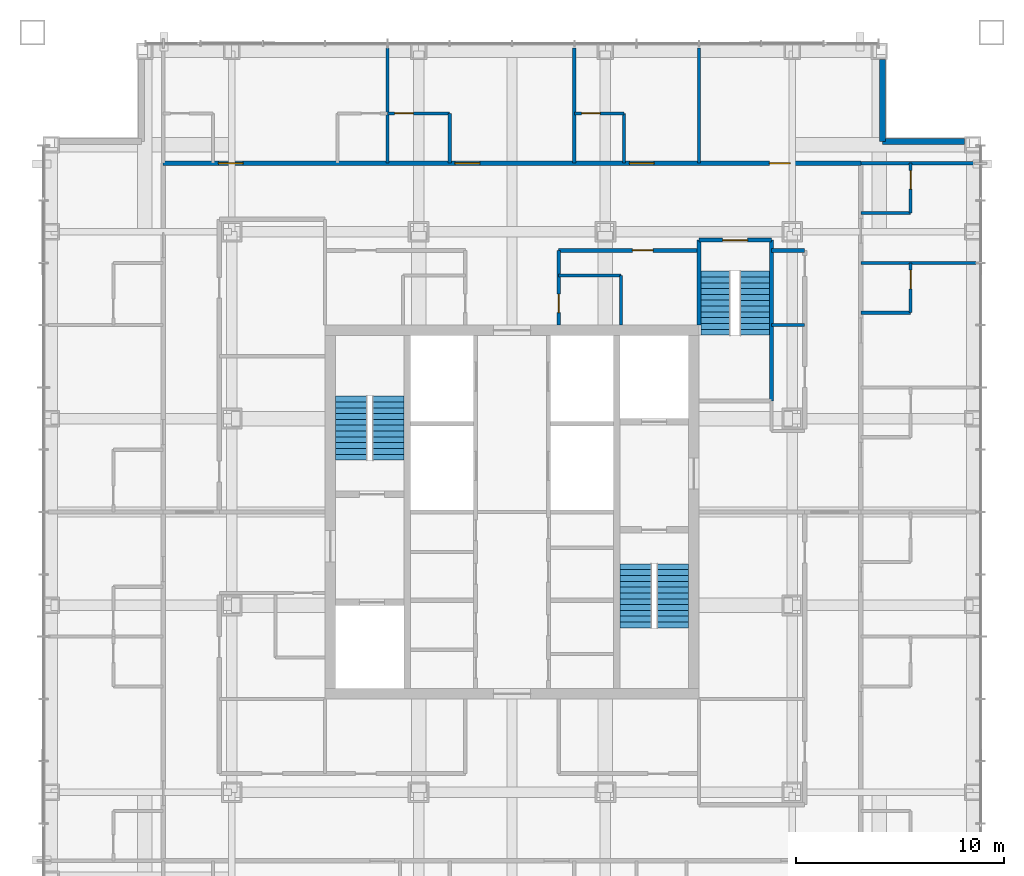
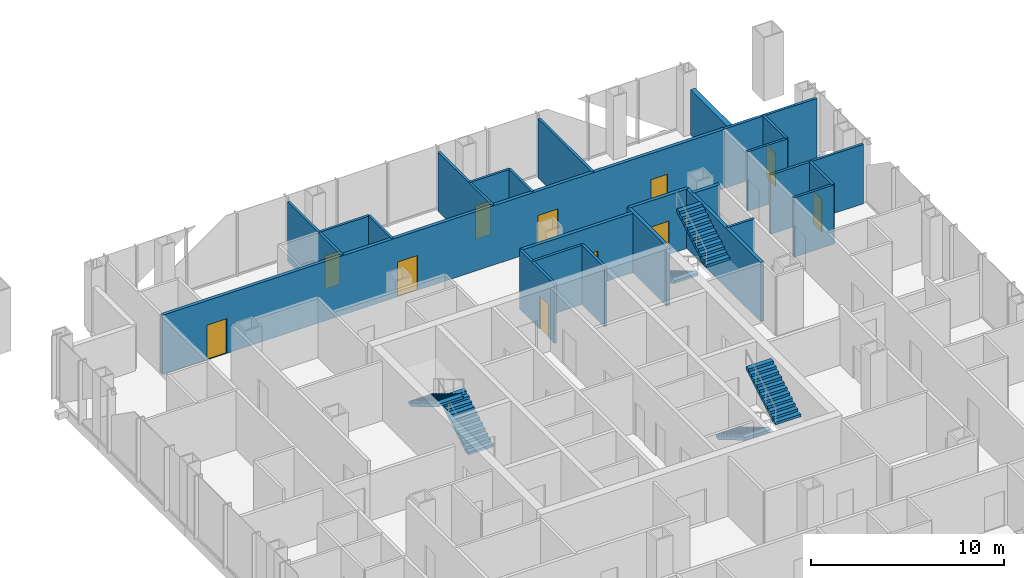
# One storey, part 10 of 15: 25 walls, 11 doors, 6 stair flights, 11 openings, 3 elements without a shape of their own.
"""IFC4 building model written with IfcOpenShell, lengths in metres."""

import ifcopenshell
import ifcopenshell.guid

model = None  # the IFC model being written
_history = None  # IfcOwnerHistory: only IFC2X3 demands one
_inside = {}  # id of a spatial element -> (the spatial element, [elements in it])
_under = {}  # id of a project, library or spatial element -> (it, [spatial elements below it])
_declared = {}  # id of a project -> (the project, [libraries it declares])
_typed = {}  # id of a type object -> (the type object, [elements of that type])
_made_of = {}  # id of a material, layer set ... -> (it, [elements and type objects made of it])


def new_model(schema):
    """Start an empty IFC model of exactly this schema.

    Asked for "IFC4X3", IfcOpenShell would pick the latest addendum, in which some entities
    have other attributes; the version numbers below select the first issue.
    IFC2X3 requires an IfcOwnerHistory on every rooted entity: one is made here for all.
    """
    global model, _history
    if schema == "IFC4X3":
        model = ifcopenshell.file(schema_version=(4, 3, 0, 0))
    else:
        model = ifcopenshell.file(schema=schema)
    _inside.clear()
    _under.clear()
    _declared.clear()
    _typed.clear()
    _made_of.clear()
    _history = None
    if model.schema == "IFC2X3":
        org = make("IfcOrganization", Name="unknown")
        user = make(
            "IfcPersonAndOrganization",
            ThePerson=make("IfcPerson", FamilyName="unknown"),
            TheOrganization=org,
        )
        app = make(
            "IfcApplication",
            ApplicationDeveloper=org,
            Version="unknown",
            ApplicationFullName="unknown",
            ApplicationIdentifier="unknown",
        )
        _history = make(
            "IfcOwnerHistory",
            OwningUser=user,
            OwningApplication=app,
            ChangeAction="ADDED",
            CreationDate=0,
        )
    return model


def make(cls, **values):
    """One entity of the class cls with the attributes given. An attribute that is None is left unset."""
    return model.create_entity(
        cls, **{name: value for name, value in values.items() if value is not None}
    )


def rooted(cls, **values):
    """An entity with a GlobalId (a new one), such as an element, a storey or a relation."""
    return make(cls, GlobalId=ifcopenshell.guid.new(), OwnerHistory=_history, **values)


def si_unit(unit_type, name, prefix=None):
    """IfcSIUnit, for example si_unit("LENGTHUNIT", "METRE", prefix="MILLI")."""
    return make("IfcSIUnit", UnitType=unit_type, Prefix=prefix, Name=name)


def assignment(units):
    """IfcUnitAssignment: the units of a project."""
    return None if units is None else make("IfcUnitAssignment", Units=units)


def point(xyz):
    """IfcCartesianPoint."""
    return None if xyz is None else make("IfcCartesianPoint", Coordinates=xyz)


def direction(xyz):
    """IfcDirection."""
    return None if xyz is None else make("IfcDirection", DirectionRatios=xyz)


def frame(location, z_axis=None, x_axis=None):
    """IfcAxis2Placement3D, a coordinate frame: its origin and axes. An axis left out is left unset."""
    return make(
        "IfcAxis2Placement3D",
        Location=point(location),
        Axis=direction(z_axis),
        RefDirection=direction(x_axis),
    )


def frame_2d(location, x_axis=None):
    """IfcAxis2Placement2D, a coordinate frame in the plane: its origin and x axis."""
    return make(
        "IfcAxis2Placement2D", Location=point(location), RefDirection=direction(x_axis)
    )


def origin():
    """The frame at (0, 0, 0) with its axes left unset."""
    return frame((0.0, 0.0, 0.0))


def place(relative_to, where):
    """IfcLocalPlacement: puts the frame where relative to a parent placement (None: the world)."""
    return make(
        "IfcLocalPlacement", PlacementRelTo=relative_to, RelativePlacement=where
    )


def context(
    kind, dimensions, precision=None, world=None, true_north=None, identifier=None
):
    """IfcGeometricRepresentationContext, for example the 3D "Model" context."""
    return make(
        "IfcGeometricRepresentationContext",
        ContextIdentifier=identifier,
        ContextType=kind,
        CoordinateSpaceDimension=dimensions,
        Precision=precision,
        WorldCoordinateSystem=world,
        TrueNorth=true_north,
    )


def subcontext(parent, identifier, kind, view, scale=None):
    """IfcGeometricRepresentationSubContext, for example "Body" below "Model"."""
    return make(
        "IfcGeometricRepresentationSubContext",
        ContextIdentifier=identifier,
        ContextType=kind,
        ParentContext=parent,
        TargetScale=scale,
        TargetView=view,
    )


def project(units=None, contexts=None):
    """IfcProject with its units and contexts."""
    return rooted(
        "IfcProject",
        Name="project",
        RepresentationContexts=contexts,
        UnitsInContext=assignment(units),
    )


def spatial(cls, under=None, at=None, **own):
    """A site, building, storey or space (cls), placed at a placement, below another one or the project."""
    s = rooted(cls, ObjectPlacement=at, **own)
    if under is not None:
        _under.setdefault(under.id(), (under, []))[1].append(s)
    return s


def polyline(points):
    """IfcPolyline through the points."""
    return make("IfcPolyline", Points=[point(p) for p in points])


def profile(cls, at=None, kind="AREA", **sizes):
    """A parametric profile (cls). Its sizes go by their IFC names, for example OverallWidth=200.0."""
    return make(cls, ProfileType=kind, Position=at, **sizes)


def rectangle(**sizes):
    """IfcRectangleProfileDef."""
    return profile("IfcRectangleProfileDef", **sizes)


def outline(outer, holes=None, kind="AREA"):
    """IfcArbitraryClosedProfileDef: a profile drawn as a closed curve; with holes, ...WithVoids."""
    if holes is None:
        return make("IfcArbitraryClosedProfileDef", ProfileType=kind, OuterCurve=outer)
    return make(
        "IfcArbitraryProfileDefWithVoids",
        ProfileType=kind,
        OuterCurve=outer,
        InnerCurves=holes,
    )


def extrude(swept, where, along, depth):
    """IfcExtrudedAreaSolid: the profile swept, set in the frame where, extruded along a direction by depth."""
    return make(
        "IfcExtrudedAreaSolid",
        SweptArea=swept,
        Position=where,
        ExtrudedDirection=direction(along),
        Depth=depth,
    )


def shape(context_of_items, identifier, shape_type, items):
    """IfcShapeRepresentation: the items that make up one representation, for example the "Body"."""
    return make(
        "IfcShapeRepresentation",
        ContextOfItems=context_of_items,
        RepresentationIdentifier=identifier,
        RepresentationType=shape_type,
        Items=items,
    )


def material(Name=None, Category=None):
    """IfcMaterial."""
    return make("IfcMaterial", Name=Name, Category=Category)


def layer(
    of_material, thickness, ventilated=None, Name=None, Category=None, Priority=None
):
    """IfcMaterialLayer: one layer of a wall or slab, of a material (None: an air gap)."""
    return make(
        "IfcMaterialLayer",
        Material=of_material,
        LayerThickness=thickness,
        IsVentilated=ventilated,
        Name=Name,
        Category=Category,
        Priority=Priority,
    )


def layer_set(layers, Name=None):
    """IfcMaterialLayerSet."""
    return make("IfcMaterialLayerSet", MaterialLayers=layers, LayerSetName=Name)


def made_of(thing, what):
    """Note that an element or type object is made of a material, layer set ...; save() writes the relation."""
    if what is not None:
        _made_of.setdefault(what.id(), (what, []))[1].append(thing)
    return thing


def type_object(cls, material=None, **own):
    """A type object (cls), such as IfcWallType, which elements share."""
    return made_of(rooted(cls, **own), material)


def element(
    cls,
    number,
    at=None,
    inside=None,
    cuts=None,
    type_object=None,
    material=None,
    context=None,
    identifier="Body",
    shape_type=None,
    held_by="IfcProductDefinitionShape",
    body=None,
    shapes=None,
    **own,
):
    """One element of the class cls, such as IfcWall. Its Tag is "e" and its number.

    at: its placement. inside: the storey or other place that contains it. cuts: it is an
    opening in that element (IfcRelVoidsElement). A single representation is given by context,
    identifier, shape_type and body (its items); several are given by shapes. held_by: the class
    of the entity that holds the representations. save() writes the other relations.
    """
    e = rooted(cls, Tag="e%d" % number, ObjectPlacement=at, **own)
    if body is not None:
        shapes = [shape(context, identifier, shape_type, body)]
    if shapes is not None:
        e.Representation = make(held_by, Representations=shapes)
    if inside is not None:
        _inside.setdefault(inside.id(), (inside, []))[1].append(e)
    if cuts is not None:
        rooted(
            "IfcRelVoidsElement", RelatingBuildingElement=cuts, RelatedOpeningElement=e
        )
    if type_object is not None:
        _typed.setdefault(type_object.id(), (type_object, []))[1].append(e)
    return made_of(e, material)


def fill(opening, filler):
    """IfcRelFillsElement: the door or window that sits in an opening."""
    return rooted(
        "IfcRelFillsElement",
        RelatingOpeningElement=opening,
        RelatedBuildingElement=filler,
    )


def aggregate(whole, parts):
    """IfcRelAggregates: a whole, such as a stair, and the parts it consists of."""
    return rooted("IfcRelAggregates", RelatingObject=whole, RelatedObjects=parts)


def save(model, path):
    """Write the relations noted so far, then the file.

    IfcRelAggregates (storeys below a building ...), IfcRelContainedInSpatialStructure (elements
    in a storey), IfcRelDefinesByType, IfcRelAssociatesMaterial and IfcRelDeclares: one each for
    every whole, place, type object, material and project.
    """
    for whole, parts in _under.values():
        aggregate(whole, parts)
    for where, things in _inside.values():
        rooted(
            "IfcRelContainedInSpatialStructure",
            RelatedElements=things,
            RelatingStructure=where,
        )
    for kind, things in _typed.values():
        rooted("IfcRelDefinesByType", RelatedObjects=things, RelatingType=kind)
    for what, things in _made_of.values():
        rooted("IfcRelAssociatesMaterial", RelatedObjects=things, RelatingMaterial=what)
    for by, libraries in _declared.values():
        rooted("IfcRelDeclares", RelatingContext=by, RelatedDefinitions=libraries)
    model.write(path)


model = new_model("IFC4")

# Units and contexts
model_context = context("Model", 3, precision=1e-05, world=origin(), true_north=direction((0.0, 1.0)))
body_context = subcontext(model_context, "Body", "Model", "MODEL_VIEW")
ifc_project = project(units=[si_unit("LENGTHUNIT", "METRE"), si_unit("AREAUNIT", "SQUARE_METRE"), si_unit("VOLUMEUNIT", "CUBIC_METRE"), si_unit("PLANEANGLEUNIT", "RADIAN"), si_unit("MASSUNIT", "GRAM", prefix="KILO")], contexts=[model_context])

# Site, building, storey
site_placement = place(None, origin())
site = spatial("IfcSite", under=ifc_project, at=site_placement, CompositionType="ELEMENT")
building_placement = place(site_placement, origin())
building = spatial("IfcBuilding", under=site, at=building_placement, Name="Malebo Sky Hospital", CompositionType="ELEMENT")
storey_placement = place(building_placement, frame((0.0, 0.0, 181.0)))
storey = spatial("IfcBuildingStorey", under=building, at=storey_placement, Name="L43", CompositionType="ELEMENT", Elevation=181.0)

# Wall, openings, doors
ifc_material_1 = material(Name="Gypsum board on steel studs", Category="steel")
ifc_layer_1 = layer(ifc_material_1, 0.199951171875)
ifc_layer_set_1 = layer_set([ifc_layer_1], Name="CORRIDOR WALL 200")
wall_type_1 = type_object("IfcWallType", Name="CORRIDOR WALL 200", PredefinedType="PARTITIONING", material=ifc_layer_set_1)
wall_1_placement = place(storey_placement, frame((43.199951171875, 78.800048828125, 0.0), z_axis=(0.0, 0.0, 1.0), x_axis=(1.0, 0.0, 0.0)))
wall_1 = element("IfcWall", 1, at=wall_1_placement, inside=storey, type_object=wall_type_1, Name="Corridor Wall 200 NCO", PredefinedType="PARTITIONING", context=body_context, shape_type="SweptSolid", body=[
    extrude(rectangle(XDim=33.60009765625, YDim=0.199951171875, at=frame_2d((16.800048828125, 0.0))), origin(), (0.0, 0.0, 1.0), 3.75),
])
opening_1_placement = place(wall_1_placement, frame((2.64990234375, 0.0, 0.0)))
opening_1 = element("IfcOpeningElement", 2, at=opening_1_placement, cuts=wall_1, Name="Opening D01", PredefinedType="OPENING", context=body_context, shape_type="SweptSolid", body=[
    extrude(rectangle(XDim=1.199951171875, YDim=2.199951171875, at=frame_2d((0.60009765625, 1.10009765625))), frame((0.0, 0.10986328125, 0.0), z_axis=(0.0, -1.0, 0.0), x_axis=(1.0, 0.0, 0.0)), (0.0, 0.0, 1.0), 0.219970703125),
])
opening_2_placement = place(wall_1_placement, frame((14.050048828125, 0.0, 0.0)))
opening_2 = element("IfcOpeningElement", 3, at=opening_2_placement, cuts=wall_1, Name="Opening D01", PredefinedType="OPENING", context=body_context, shape_type="SweptSolid", body=[
    extrude(rectangle(XDim=1.199951171875, YDim=2.199951171875, at=frame_2d((0.60009765625, 1.10009765625))), frame((0.0, 0.10986328125, 0.0), z_axis=(0.0, -1.0, 0.0), x_axis=(1.0, 0.0, 0.0)), (0.0, 0.0, 1.0), 0.219970703125),
])
opening_3_placement = place(wall_1_placement, frame((22.449951171875, 0.0, 0.0)))
opening_3 = element("IfcOpeningElement", 4, at=opening_3_placement, cuts=wall_1, Name="Opening D01", PredefinedType="OPENING", context=body_context, shape_type="SweptSolid", body=[
    extrude(rectangle(XDim=1.199951171875, YDim=2.199951171875, at=frame_2d((0.60009765625, 1.10009765625))), frame((0.0, 0.10986328125, 0.0), z_axis=(0.0, -1.0, 0.0), x_axis=(1.0, 0.0, 0.0)), (0.0, 0.0, 1.0), 0.219970703125),
])
opening_4_placement = place(wall_1_placement, frame((29.199951171875, 0.0, 0.0)))
opening_4 = element("IfcOpeningElement", 5, at=opening_4_placement, cuts=wall_1, Name="Opening D03", PredefinedType="OPENING", context=body_context, shape_type="SweptSolid", body=[
    extrude(rectangle(XDim=1.0, YDim=2.10009765625, at=frame_2d((0.5, 1.050048828125))), frame((0.0, 0.10986328125, 0.0), z_axis=(0.0, -1.0, 0.0), x_axis=(1.0, 0.0, 0.0)), (0.0, 0.0, 1.0), 0.219970703125),
])
ifc_material_2 = material(Name="Hardwood-faced door leaf in steel frame", Category="steel")
door_type_1 = type_object("IfcDoorType", Name="BED DOOR 1200", OperationType="SINGLE_SWING_LEFT", PredefinedType="DOOR", material=ifc_material_2)
door_1_placement = place(opening_1_placement, origin())
door_1 = element("IfcDoor", 6, at=door_1_placement, inside=storey, type_object=door_type_1, Name="Four-bed bay door", OperationType="SINGLE_SWING_LEFT", OverallHeight=2.199951171875, OverallWidth=1.199951171875, PredefinedType="DOOR", context=body_context, shape_type="SweptSolid", body=[
    extrude(rectangle(XDim=1.199951171875, YDim=2.199951171875, at=frame_2d((0.60009765625, 1.10009765625))), frame((0.0, 0.02490234375, 0.0), z_axis=(0.0, -1.0, 0.0), x_axis=(1.0, 0.0, 0.0)), (0.0, 0.0, 1.0), 0.050048828125),
])
fill(opening_1, door_1)
door_2_placement = place(opening_2_placement, origin())
door_2 = element("IfcDoor", 7, at=door_2_placement, inside=storey, type_object=door_type_1, Name="Two-bed room door", OperationType="SINGLE_SWING_LEFT", OverallHeight=2.199951171875, OverallWidth=1.199951171875, PredefinedType="DOOR", context=body_context, shape_type="SweptSolid", body=[
    extrude(rectangle(XDim=1.199951171875, YDim=2.199951171875, at=frame_2d((0.60009765625, 1.10009765625))), frame((0.0, 0.02490234375, 0.0), z_axis=(0.0, -1.0, 0.0), x_axis=(1.0, 0.0, 0.0)), (0.0, 0.0, 1.0), 0.050048828125),
])
fill(opening_2, door_2)
door_3_placement = place(opening_3_placement, origin())
door_3 = element("IfcDoor", 8, at=door_3_placement, inside=storey, type_object=door_type_1, Name="Single bed room door", OperationType="SINGLE_SWING_LEFT", OverallHeight=2.199951171875, OverallWidth=1.199951171875, PredefinedType="DOOR", context=body_context, shape_type="SweptSolid", body=[
    extrude(rectangle(XDim=1.199951171875, YDim=2.199951171875, at=frame_2d((0.60009765625, 1.10009765625))), frame((0.0, 0.02490234375, 0.0), z_axis=(0.0, -1.0, 0.0), x_axis=(1.0, 0.0, 0.0)), (0.0, 0.0, 1.0), 0.050048828125),
])
fill(opening_3, door_3)
door_type_2 = type_object("IfcDoorType", Name="ROOM DOOR 1000", OperationType="SINGLE_SWING_LEFT", PredefinedType="DOOR", material=ifc_material_2)
door_4_placement = place(opening_4_placement, origin())
door_4 = element("IfcDoor", 9, at=door_4_placement, inside=storey, type_object=door_type_2, Name="Family room door", OperationType="SINGLE_SWING_RIGHT", OverallHeight=2.10009765625, OverallWidth=1.0, PredefinedType="DOOR", context=body_context, shape_type="SweptSolid", body=[
    extrude(rectangle(XDim=1.0, YDim=2.10009765625, at=frame_2d((0.5, 1.050048828125))), frame((0.0, 0.02490234375, 0.0), z_axis=(0.0, -1.0, 0.0), x_axis=(1.0, 0.0, 0.0)), (0.0, 0.0, 1.0), 0.050048828125),
])
fill(opening_4, door_4)

# Wall, opening, door
wall_2_placement = place(storey_placement, frame((62.25, 74.60009765625, 0.0), z_axis=(0.0, 0.0, 1.0), x_axis=(1.0, 0.0, 0.0)))
wall_2 = element("IfcWall", 10, at=wall_2_placement, inside=storey, type_object=wall_type_1, Name="Corridor Wall 200 NCI2", PredefinedType="PARTITIONING", context=body_context, shape_type="SweptSolid", body=[
    extrude(rectangle(XDim=6.75, YDim=0.199951171875, at=frame_2d((3.375, 0.0))), origin(), (0.0, 0.0, 1.0), 3.75),
])
opening_5_placement = place(wall_2_placement, frame((3.550048828125, 0.0, 0.0)))
opening_5 = element("IfcOpeningElement", 11, at=opening_5_placement, cuts=wall_2, Name="Opening D03", PredefinedType="OPENING", context=body_context, shape_type="SweptSolid", body=[
    extrude(rectangle(XDim=1.0, YDim=2.10009765625, at=frame_2d((0.5, 1.050048828125))), frame((0.0, 0.10986328125, 0.0), z_axis=(0.0, -1.0, 0.0), x_axis=(1.0, 0.0, 0.0)), (0.0, 0.0, 1.0), 0.219970703125),
])
door_5_placement = place(opening_5_placement, origin())
door_5 = element("IfcDoor", 12, at=door_5_placement, inside=storey, type_object=door_type_2, Name="Medication room door", OperationType="SINGLE_SWING_RIGHT", OverallHeight=2.10009765625, OverallWidth=1.0, PredefinedType="DOOR", context=body_context, shape_type="SweptSolid", body=[
    extrude(rectangle(XDim=1.0, YDim=2.10009765625, at=frame_2d((0.5, 1.050048828125))), frame((0.0, 0.02490234375, 0.0), z_axis=(0.0, -1.0, 0.0), x_axis=(1.0, 0.0, 0.0)), (0.0, 0.0, 1.0), 0.050048828125),
])
fill(opening_5, door_5)

# Walls
wall_3_placement = place(storey_placement, frame((72.5, 74.60009765625, 0.0), z_axis=(0.0, 0.0, 1.0), x_axis=(1.0, 0.0, 0.0)))
element("IfcWall", 13, at=wall_3_placement, inside=storey, type_object=wall_type_1, Name="Corridor Wall 200 NCI2/2", PredefinedType="PARTITIONING", context=body_context, shape_type="SweptSolid", body=[
    extrude(rectangle(XDim=1.60009765625, YDim=0.199951171875, at=frame_2d((0.800048828125, 0.0))), origin(), (0.0, 0.0, 1.0), 3.75),
])
ifc_material_3 = material(Name="Anodised aluminium rainscreen on steel framing", Category="steel")
ifc_layer_2 = layer(ifc_material_3, 0.300048828125)
ifc_layer_set_2 = layer_set([ifc_layer_2], Name="NOTCH RAINSCREEN WALL 300")
wall_type_2 = type_object("IfcWallType", Name="NOTCH RAINSCREEN WALL 300", PredefinedType="ELEMENTEDWALL", material=ifc_layer_set_2)
for number, where, z_axis, x_axis, name in (
    (14, (77.85009765625, 83.800048828125, 0.0), (0.0, 0.0, 1.0), (0.0, -1.0, 0.0), "Notch rainscreen wall N1 L43"),
    (15, (77.85009765625, 79.85009765625, 0.0), (0.0, 0.0, 1.0), (1.0, 0.0, 0.0), "Notch rainscreen wall N2 L43"),
):
    element("IfcWall", number, at=place(storey_placement, frame(where, z_axis=z_axis, x_axis=x_axis)), inside=storey, type_object=wall_type_2, Name=name, PredefinedType="ELEMENTEDWALL", context=body_context, shape_type="SweptSolid", body=[
        extrude(rectangle(XDim=3.949951171875, YDim=0.300048828125, at=frame_2d((1.97509765625, 0.0))), origin(), (0.0, 0.0, 1.0), 2.85009765625),
    ])
ifc_layer_3 = layer(ifc_material_1, 0.14990234375)
ifc_layer_set_3 = layer_set([ifc_layer_3], Name="PARTITION 150")
wall_type_3 = type_object("IfcWallType", Name="PARTITION 150", PredefinedType="PARTITIONING", material=ifc_layer_set_3)
for number, where, z_axis, x_axis, name in (
    (16, (54.0, 78.800048828125, 0.0), (0.0, 0.0, 1.0), (0.0, 1.0, 0.0), "Partition 150 NP-6.0"),
    (17, (63.0, 78.800048828125, 0.0), (0.0, 0.0, 1.0), (0.0, 1.0, 0.0), "Partition 150 NP+3.0"),
    (18, (69.0, 78.800048828125, 0.0), (0.0, 0.0, 1.0), (0.0, 1.0, 0.0), "Partition 150 NP+9.0"),
):
    element("IfcWall", number, at=place(storey_placement, frame(where, z_axis=z_axis, x_axis=x_axis)), inside=storey, type_object=wall_type_3, Name=name, PredefinedType="PARTITIONING", context=body_context, shape_type="SweptSolid", body=[
        extrude(rectangle(XDim=5.550048828125, YDim=0.14990234375, at=frame_2d((2.77490234375, 0.0))), origin(), (0.0, 0.0, 1.0), 3.75),
    ])

# Wall, opening, door
wall_4_placement = place(storey_placement, frame((54.0, 81.199951171875, 0.0), z_axis=(0.0, 0.0, 1.0), x_axis=(1.0, 0.0, 0.0)))
wall_4 = element("IfcWall", 19, at=wall_4_placement, inside=storey, type_object=wall_type_3, Name="Partition 150 NE1F", PredefinedType="PARTITIONING", context=body_context, shape_type="SweptSolid", body=[
    extrude(rectangle(XDim=3.0, YDim=0.14990234375, at=frame_2d((1.5, 0.0))), origin(), (0.0, 0.0, 1.0), 3.75),
])
opening_6_placement = place(wall_4_placement, frame((0.35009765625, 0.0, 0.0)))
opening_6 = element("IfcOpeningElement", 20, at=opening_6_placement, cuts=wall_4, Name="Opening D02", PredefinedType="OPENING", context=body_context, shape_type="SweptSolid", body=[
    extrude(rectangle(XDim=0.89990234375, YDim=2.10009765625, at=frame_2d((0.449951171875, 1.050048828125))), frame((0.0, 0.0849609375, 0.0), z_axis=(0.0, -1.0, 0.0), x_axis=(1.0, 0.0, 0.0)), (0.0, 0.0, 1.0), 0.169921875),
])
door_type_3 = type_object("IfcDoorType", Name="EN-SUITE DOOR 900", OperationType="SINGLE_SWING_LEFT", PredefinedType="DOOR", material=ifc_material_2)
door_6_placement = place(opening_6_placement, origin())
door_6 = element("IfcDoor", 21, at=door_6_placement, inside=storey, type_object=door_type_3, Name="En-suite door", OperationType="SINGLE_SWING_LEFT", OverallHeight=2.10009765625, OverallWidth=0.89990234375, PredefinedType="DOOR", context=body_context, shape_type="SweptSolid", body=[
    extrude(rectangle(XDim=0.89990234375, YDim=2.10009765625, at=frame_2d((0.449951171875, 1.050048828125))), frame((0.0, 0.02490234375, 0.0), z_axis=(0.0, -1.0, 0.0), x_axis=(1.0, 0.0, 0.0)), (0.0, 0.0, 1.0), 0.050048828125),
])
fill(opening_6, door_6)

# Wall
wall_5_placement = place(storey_placement, frame((57.0, 78.800048828125, 0.0), z_axis=(0.0, 0.0, 1.0), x_axis=(0.0, 1.0, 0.0)))
element("IfcWall", 22, at=wall_5_placement, inside=storey, type_object=wall_type_3, Name="Partition 150 NE1S", PredefinedType="PARTITIONING", context=body_context, shape_type="SweptSolid", body=[
    extrude(rectangle(XDim=2.39990234375, YDim=0.14990234375, at=frame_2d((1.199951171875, 0.0))), origin(), (0.0, 0.0, 1.0), 3.75),
])

# Wall, opening, door
wall_6_placement = place(storey_placement, frame((63.0, 81.199951171875, 0.0), z_axis=(0.0, 0.0, 1.0), x_axis=(1.0, 0.0, 0.0)))
wall_6 = element("IfcWall", 23, at=wall_6_placement, inside=storey, type_object=wall_type_3, Name="Partition 150 NE2F", PredefinedType="PARTITIONING", context=body_context, shape_type="SweptSolid", body=[
    extrude(rectangle(XDim=2.39990234375, YDim=0.14990234375, at=frame_2d((1.199951171875, 0.0))), origin(), (0.0, 0.0, 1.0), 3.75),
])
opening_7_placement = place(wall_6_placement, frame((0.35009765625, 0.0, 0.0)))
opening_7 = element("IfcOpeningElement", 24, at=opening_7_placement, cuts=wall_6, Name="Opening D02", PredefinedType="OPENING", context=body_context, shape_type="SweptSolid", body=[
    extrude(rectangle(XDim=0.89990234375, YDim=2.10009765625, at=frame_2d((0.449951171875, 1.050048828125))), frame((0.0, 0.0849609375, 0.0), z_axis=(0.0, -1.0, 0.0), x_axis=(1.0, 0.0, 0.0)), (0.0, 0.0, 1.0), 0.169921875),
])
door_7_placement = place(opening_7_placement, origin())
door_7 = element("IfcDoor", 25, at=door_7_placement, inside=storey, type_object=door_type_3, Name="En-suite door", OperationType="SINGLE_SWING_LEFT", OverallHeight=2.10009765625, OverallWidth=0.89990234375, PredefinedType="DOOR", context=body_context, shape_type="SweptSolid", body=[
    extrude(rectangle(XDim=0.89990234375, YDim=2.10009765625, at=frame_2d((0.449951171875, 1.050048828125))), frame((0.0, 0.02490234375, 0.0), z_axis=(0.0, -1.0, 0.0), x_axis=(1.0, 0.0, 0.0)), (0.0, 0.0, 1.0), 0.050048828125),
])
fill(opening_7, door_7)

# Wall
wall_7_placement = place(storey_placement, frame((65.39990234375, 78.800048828125, 0.0), z_axis=(0.0, 0.0, 1.0), x_axis=(0.0, 1.0, 0.0)))
element("IfcWall", 26, at=wall_7_placement, inside=storey, type_object=wall_type_3, Name="Partition 150 NE2S", PredefinedType="PARTITIONING", context=body_context, shape_type="SweptSolid", body=[
    extrude(rectangle(XDim=2.39990234375, YDim=0.14990234375, at=frame_2d((1.199951171875, 0.0))), origin(), (0.0, 0.0, 1.0), 3.75),
])

# Wall, opening, door
wall_8_placement = place(storey_placement, frame((62.25, 71.0, 0.0), z_axis=(0.0, 0.0, 1.0), x_axis=(0.0, 1.0, 0.0)))
wall_8 = element("IfcWall", 27, at=wall_8_placement, inside=storey, type_object=wall_type_3, Name="Partition 150 NSPB", PredefinedType="PARTITIONING", context=body_context, shape_type="SweptSolid", body=[
    extrude(rectangle(XDim=3.60009765625, YDim=0.14990234375, at=frame_2d((1.800048828125, 0.0))), origin(), (0.0, 0.0, 1.0), 3.75),
])
opening_8_placement = place(wall_8_placement, frame((0.60009765625, 0.0, 0.0)))
opening_8 = element("IfcOpeningElement", 28, at=opening_8_placement, cuts=wall_8, Name="Opening D04", PredefinedType="OPENING", context=body_context, shape_type="SweptSolid", body=[
    extrude(rectangle(XDim=0.89990234375, YDim=2.10009765625, at=frame_2d((0.449951171875, 1.050048828125))), frame((0.0, 0.0849609375, 0.0), z_axis=(0.0, -1.0, 0.0), x_axis=(1.0, 0.0, 0.0)), (0.0, 0.0, 1.0), 0.169921875),
])
door_type_4 = type_object("IfcDoorType", Name="ROOM DOOR 900", OperationType="SINGLE_SWING_LEFT", PredefinedType="DOOR", material=ifc_material_2)
door_8_placement = place(opening_8_placement, origin())
door_8 = element("IfcDoor", 29, at=door_8_placement, inside=storey, type_object=door_type_4, Name="Accessible WC door", OperationType="SINGLE_SWING_LEFT", OverallHeight=2.10009765625, OverallWidth=0.89990234375, PredefinedType="DOOR", context=body_context, shape_type="SweptSolid", body=[
    extrude(rectangle(XDim=0.89990234375, YDim=2.10009765625, at=frame_2d((0.449951171875, 1.050048828125))), frame((0.0, 0.02490234375, 0.0), z_axis=(0.0, -1.0, 0.0), x_axis=(1.0, 0.0, 0.0)), (0.0, 0.0, 1.0), 0.050048828125),
])
fill(opening_8, door_8)

# Walls
wall_9_placement = place(storey_placement, frame((62.25, 73.39990234375, 0.0), z_axis=(0.0, 0.0, 1.0), x_axis=(1.0, 0.0, 0.0)))
element("IfcWall", 30, at=wall_9_placement, inside=storey, type_object=wall_type_3, Name="Partition 150 NSX1", PredefinedType="PARTITIONING", context=body_context, shape_type="SweptSolid", body=[
    extrude(rectangle(XDim=3.0, YDim=0.14990234375, at=frame_2d((1.5, 0.0))), origin(), (0.0, 0.0, 1.0), 3.75),
])
wall_10_placement = place(storey_placement, frame((65.25, 71.0, 0.0), z_axis=(0.0, 0.0, 1.0), x_axis=(0.0, 1.0, 0.0)))
element("IfcWall", 31, at=wall_10_placement, inside=storey, type_object=wall_type_3, Name="Partition 150 NSY1", PredefinedType="PARTITIONING", context=body_context, shape_type="SweptSolid", body=[
    extrude(rectangle(XDim=2.39990234375, YDim=0.14990234375, at=frame_2d((1.199951171875, 0.0))), origin(), (0.0, 0.0, 1.0), 3.75),
])
for number, where, z_axis, x_axis, name in (
    (32, (76.800048828125, 74.0, 0.0), (0.0, 0.0, 1.0), (1.0, 0.0, 0.0), "Partition 150 EP-12.0"),
    (33, (76.800048828125, 78.800048828125, 0.0), (0.0, 0.0, 1.0), (1.0, 0.0, 0.0), "Partition 150 EP0"),
):
    element("IfcWall", number, at=place(storey_placement, frame(where, z_axis=z_axis, x_axis=x_axis)), inside=storey, type_object=wall_type_3, Name=name, PredefinedType="PARTITIONING", context=body_context, shape_type="SweptSolid", body=[
        extrude(rectangle(XDim=5.550048828125, YDim=0.14990234375, at=frame_2d((2.77490234375, 0.0))), origin(), (0.0, 0.0, 1.0), 3.75),
    ])

# Wall, opening, door
wall_11_placement = place(storey_placement, frame((79.199951171875, 78.800048828125, 0.0), z_axis=(0.0, 0.0, 1.0), x_axis=(0.0, -1.0, 0.0)))
wall_11 = element("IfcWall", 34, at=wall_11_placement, inside=storey, type_object=wall_type_3, Name="Partition 150 EE0F", PredefinedType="PARTITIONING", context=body_context, shape_type="SweptSolid", body=[
    extrude(rectangle(XDim=2.400146484375, YDim=0.14990234375, at=frame_2d((1.2001953125, 0.0))), origin(), (0.0, 0.0, 1.0), 3.75),
])
opening_9_placement = place(wall_11_placement, frame((0.35009765625, 0.0, 0.0)))
opening_9 = element("IfcOpeningElement", 35, at=opening_9_placement, cuts=wall_11, Name="Opening D02", PredefinedType="OPENING", context=body_context, shape_type="SweptSolid", body=[
    extrude(rectangle(XDim=0.89990234375, YDim=2.10009765625, at=frame_2d((0.449951171875, 1.050048828125))), frame((0.0, 0.0849609375, 0.0), z_axis=(0.0, -1.0, 0.0), x_axis=(1.0, 0.0, 0.0)), (0.0, 0.0, 1.0), 0.169921875),
])
door_9_placement = place(opening_9_placement, origin())
door_9 = element("IfcDoor", 36, at=door_9_placement, inside=storey, type_object=door_type_3, Name="En-suite door", OperationType="SINGLE_SWING_LEFT", OverallHeight=2.10009765625, OverallWidth=0.89990234375, PredefinedType="DOOR", context=body_context, shape_type="SweptSolid", body=[
    extrude(rectangle(XDim=0.89990234375, YDim=2.10009765625, at=frame_2d((0.449951171875, 1.050048828125))), frame((0.0, 0.02490234375, 0.0), z_axis=(0.0, -1.0, 0.0), x_axis=(1.0, 0.0, 0.0)), (0.0, 0.0, 1.0), 0.050048828125),
])
fill(opening_9, door_9)

# Wall
wall_12_placement = place(storey_placement, frame((76.800048828125, 76.39990234375, 0.0), z_axis=(0.0, 0.0, 1.0), x_axis=(1.0, 0.0, 0.0)))
element("IfcWall", 37, at=wall_12_placement, inside=storey, type_object=wall_type_3, Name="Partition 150 EE0S", PredefinedType="PARTITIONING", context=body_context, shape_type="SweptSolid", body=[
    extrude(rectangle(XDim=2.39990234375, YDim=0.14990234375, at=frame_2d((1.199951171875, 0.0))), origin(), (0.0, 0.0, 1.0), 3.75),
])

# Wall, opening, door
wall_13_placement = place(storey_placement, frame((79.199951171875, 74.0, 0.0), z_axis=(0.0, 0.0, 1.0), x_axis=(0.0, -1.0, 0.0)))
wall_13 = element("IfcWall", 38, at=wall_13_placement, inside=storey, type_object=wall_type_3, Name="Partition 150 EE1F", PredefinedType="PARTITIONING", context=body_context, shape_type="SweptSolid", body=[
    extrude(rectangle(XDim=2.39990234375, YDim=0.14990234375, at=frame_2d((1.199951171875, 0.0))), origin(), (0.0, 0.0, 1.0), 3.75),
])
opening_10_placement = place(wall_13_placement, frame((0.35009765625, 0.0, 0.0)))
opening_10 = element("IfcOpeningElement", 39, at=opening_10_placement, cuts=wall_13, Name="Opening D02", PredefinedType="OPENING", context=body_context, shape_type="SweptSolid", body=[
    extrude(rectangle(XDim=0.89990234375, YDim=2.10009765625, at=frame_2d((0.449951171875, 1.050048828125))), frame((0.0, 0.0849609375, 0.0), z_axis=(0.0, -1.0, 0.0), x_axis=(1.0, 0.0, 0.0)), (0.0, 0.0, 1.0), 0.169921875),
])
door_10_placement = place(opening_10_placement, origin())
door_10 = element("IfcDoor", 40, at=door_10_placement, inside=storey, type_object=door_type_3, Name="En-suite door", OperationType="SINGLE_SWING_LEFT", OverallHeight=2.10009765625, OverallWidth=0.89990234375, PredefinedType="DOOR", context=body_context, shape_type="SweptSolid", body=[
    extrude(rectangle(XDim=0.89990234375, YDim=2.10009765625, at=frame_2d((0.449951171875, 1.050048828125))), frame((0.0, 0.02490234375, 0.0), z_axis=(0.0, -1.0, 0.0), x_axis=(1.0, 0.0, 0.0)), (0.0, 0.0, 1.0), 0.050048828125),
])
fill(opening_10, door_10)

# Walls
wall_14_placement = place(storey_placement, frame((76.800048828125, 71.60009765625, 0.0), z_axis=(0.0, 0.0, 1.0), x_axis=(1.0, 0.0, 0.0)))
element("IfcWall", 41, at=wall_14_placement, inside=storey, type_object=wall_type_3, Name="Partition 150 EE1S", PredefinedType="PARTITIONING", context=body_context, shape_type="SweptSolid", body=[
    extrude(rectangle(XDim=2.39990234375, YDim=0.14990234375, at=frame_2d((1.199951171875, 0.0))), origin(), (0.0, 0.0, 1.0), 3.75),
])
wall_15_placement = place(storey_placement, frame((72.5, 71.0, 0.0), z_axis=(0.0, 0.0, 1.0), x_axis=(1.0, 0.0, 0.0)))
element("IfcWall", 42, at=wall_15_placement, inside=storey, type_object=wall_type_3, Name="Partition 150 ESP0", PredefinedType="PARTITIONING", context=body_context, shape_type="SweptSolid", body=[
    extrude(rectangle(XDim=1.60009765625, YDim=0.14990234375, at=frame_2d((0.800048828125, 0.0))), origin(), (0.0, 0.0, 1.0), 3.75),
])
ifc_material_4 = material(Name="Concrete C40/50", Category="concrete")
ifc_layer_4 = layer(ifc_material_4, 0.199951171875)
ifc_layer_set_4 = layer_set([ifc_layer_4], Name="STAIR ENCLOSURE WALL 200")
wall_type_4 = type_object("IfcWallType", Name="STAIR ENCLOSURE WALL 200", PredefinedType="SOLIDWALL", material=ifc_layer_set_4)
wall_16_placement = place(storey_placement, frame((69.0, 71.0, 0.0), z_axis=(0.0, 0.0, 1.0), x_axis=(0.0, 1.0, 0.0)))
element("IfcWall", 43, at=wall_16_placement, inside=storey, type_object=wall_type_4, Name="Stair Enclosure Wall 200 ST3W", PredefinedType="SOLIDWALL", context=body_context, shape_type="SweptSolid", body=[
    extrude(rectangle(XDim=4.10009765625, YDim=0.199951171875, at=frame_2d((2.050048828125, 0.0))), origin(), (0.0, 0.0, 1.0), 3.75),
])
wall_17_placement = place(storey_placement, frame((72.5, 67.35009765625, 0.0), z_axis=(0.0, 0.0, 1.0), x_axis=(0.0, 1.0, 0.0)))
element("IfcWall", 44, at=wall_17_placement, inside=storey, type_object=wall_type_4, Name="Stair Enclosure Wall 200 ST3E", PredefinedType="SOLIDWALL", context=body_context, shape_type="SweptSolid", body=[
    extrude(rectangle(XDim=7.75, YDim=0.199951171875, at=frame_2d((3.875, 0.0))), origin(), (0.0, 0.0, 1.0), 3.75),
])

# Wall, opening, door
wall_18_placement = place(storey_placement, frame((69.0, 75.10009765625, 0.0), z_axis=(0.0, 0.0, 1.0), x_axis=(1.0, 0.0, 0.0)))
wall_18 = element("IfcWall", 45, at=wall_18_placement, inside=storey, type_object=wall_type_4, Name="Stair Enclosure Wall 200 ST3N", PredefinedType="SOLIDWALL", context=body_context, shape_type="SweptSolid", body=[
    extrude(rectangle(XDim=3.5, YDim=0.199951171875, at=frame_2d((1.75, 0.0))), origin(), (0.0, 0.0, 1.0), 3.75),
])
opening_11_placement = place(wall_18_placement, frame((1.14990234375, 0.0, 0.0)))
opening_11 = element("IfcOpeningElement", 46, at=opening_11_placement, cuts=wall_18, Name="Opening D08", PredefinedType="OPENING", context=body_context, shape_type="SweptSolid", body=[
    extrude(rectangle(XDim=1.199951171875, YDim=2.10009765625, at=frame_2d((0.60009765625, 1.050048828125))), frame((0.0, 0.10986328125, 0.0), z_axis=(0.0, -1.0, 0.0), x_axis=(1.0, 0.0, 0.0)), (0.0, 0.0, 1.0), 0.219970703125),
])
door_type_5 = type_object("IfcDoorType", Name="STAIR DOOR 1200", OperationType="SINGLE_SWING_LEFT", PredefinedType="DOOR", material=ifc_material_2)
door_11_placement = place(opening_11_placement, origin())
door_11 = element("IfcDoor", 47, at=door_11_placement, inside=storey, type_object=door_type_5, Name="Stair S3 door", OperationType="SINGLE_SWING_LEFT", OverallHeight=2.10009765625, OverallWidth=1.199951171875, PredefinedType="DOOR", context=body_context, shape_type="SweptSolid", body=[
    extrude(rectangle(XDim=1.199951171875, YDim=2.10009765625, at=frame_2d((0.60009765625, 1.050048828125))), frame((0.0, 0.02490234375, 0.0), z_axis=(0.0, -1.0, 0.0), x_axis=(1.0, 0.0, 0.0)), (0.0, 0.0, 1.0), 0.050048828125),
])
fill(opening_11, door_11)

# Stair, stair flights
stair_type_1 = type_object("IfcStairType", Name="HALF-TURN STAIR 1400 R167", PredefinedType="HALF_TURN_STAIR", material=ifc_material_4)
stair_1_placement = place(storey_placement, origin())
stair_1 = element("IfcStair", 48, at=stair_1_placement, inside=storey, type_object=stair_type_1, Name="Stair S3 L43 type ST1B", PredefinedType="HALF_TURN_STAIR")
stair_flight_type_1 = type_object("IfcStairFlightType", Name="STAIR FLIGHT 1400 R167", PredefinedType="STRAIGHT", material=ifc_material_4)
stair_flight_1_placement = place(storey_placement, frame((69.800048828125, 73.60009765625, 0.0), z_axis=(0.0, 0.0, 1.0), x_axis=(0.0, -1.0, 0.0)))
stair_flight_1 = element("IfcStairFlight", 49, at=stair_flight_1_placement, type_object=stair_flight_type_1, Name="S3 flight 1 type SF1B", NumberOfRisers=12, NumberOfTreads=11, PredefinedType="STRAIGHT", RiserHeight=0.166666667, TreadLength=0.28, context=body_context, shape_type="SweptSolid", body=[
    extrude(outline(polyline([(0.0, 0.0), (0.0, 0.166748046875), (0.280029296875, 0.166748046875), (0.280029296875, 0.333251953125), (0.56005859375, 0.333251953125), (0.56005859375, 0.5), (0.840087890625, 0.5), (0.840087890625, 0.666748046875), (1.1201171875, 0.666748046875), (1.1201171875, 0.833251953125), (1.39990234375, 0.833251953125), (1.39990234375, 1.0), (1.679931640625, 1.0), (1.679931640625, 1.166748046875), (1.9599609375, 1.166748046875), (1.9599609375, 1.333251953125), (2.239990234375, 1.333251953125), (2.239990234375, 1.5), (2.52001953125, 1.5), (2.52001953125, 1.666748046875), (2.800048828125, 1.666748046875), (2.800048828125, 1.833251953125), (3.080078125, 1.833251953125), (3.080078125, 2.0), (3.080078125, 1.658935546875), (0.29296875, 0.0), (0.0, 0.0)])), frame((0.0, 0.699951171875, 0.0), z_axis=(0.0, -1.0, 0.0), x_axis=(1.0, 0.0, 0.0)), (0.0, 0.0, 1.0), 1.39990234375),
])
stair_flight_2_placement = place(storey_placement, frame((71.699951171875, 70.52001953125, 2.0), z_axis=(0.0, 0.0, 1.0), x_axis=(0.0, 1.0, 0.0)))
stair_flight_2 = element("IfcStairFlight", 50, at=stair_flight_2_placement, type_object=stair_flight_type_1, Name="S3 flight 2 type SF1B", NumberOfRisers=12, NumberOfTreads=11, PredefinedType="STRAIGHT", RiserHeight=0.166666667, TreadLength=0.28, context=body_context, shape_type="SweptSolid", body=[
    extrude(outline(polyline([(0.0, 0.0), (0.0, 0.166748046875), (0.280029296875, 0.166748046875), (0.280029296875, 0.333251953125), (0.56005859375, 0.333251953125), (0.56005859375, 0.5), (0.840087890625, 0.5), (0.840087890625, 0.666748046875), (1.1201171875, 0.666748046875), (1.1201171875, 0.833251953125), (1.39990234375, 0.833251953125), (1.39990234375, 1.0), (1.679931640625, 1.0), (1.679931640625, 1.166748046875), (1.9599609375, 1.166748046875), (1.9599609375, 1.333251953125), (2.239990234375, 1.333251953125), (2.239990234375, 1.5), (2.52001953125, 1.5), (2.52001953125, 1.666748046875), (2.800048828125, 1.666748046875), (2.800048828125, 1.833251953125), (3.080078125, 1.833251953125), (3.080078125, 2.0), (3.080078125, 1.658935546875), (0.29296875, 0.0), (0.0, 0.0)])), frame((0.0, 0.699951171875, 0.0), z_axis=(0.0, -1.0, 0.0), x_axis=(1.0, 0.0, 0.0)), (0.0, 0.0, 1.0), 1.39990234375),
])
aggregate(stair_1, [stair_flight_1, stair_flight_2])

stair_type_2 = type_object("IfcStairType", Name="HALF-TURN STAIR 1500 R167", PredefinedType="HALF_TURN_STAIR", material=ifc_material_4)
stair_2_placement = place(storey_placement, origin())
stair_2 = element("IfcStair", 51, at=stair_2_placement, inside=storey, type_object=stair_type_2, Name="Stair S1 L43 type ST1", PredefinedType="HALF_TURN_STAIR")
stair_flight_type_2 = type_object("IfcStairFlightType", Name="STAIR FLIGHT 1500 R167", PredefinedType="STRAIGHT", material=ifc_material_4)
stair_flight_3_placement = place(storey_placement, frame((54.050048828125, 64.5, 0.0), z_axis=(0.0, 0.0, 1.0), x_axis=(0.0, 1.0, 0.0)))
stair_flight_3 = element("IfcStairFlight", 52, at=stair_flight_3_placement, type_object=stair_flight_type_2, Name="S1 flight 1 type SF1", NumberOfRisers=12, NumberOfTreads=11, PredefinedType="STRAIGHT", RiserHeight=0.166666667, TreadLength=0.28, context=body_context, shape_type="SweptSolid", body=[
    extrude(outline(polyline([(0.0, 0.0), (0.0, 0.166748046875), (0.280029296875, 0.166748046875), (0.280029296875, 0.333251953125), (0.56005859375, 0.333251953125), (0.56005859375, 0.5), (0.840087890625, 0.5), (0.840087890625, 0.666748046875), (1.1201171875, 0.666748046875), (1.1201171875, 0.833251953125), (1.39990234375, 0.833251953125), (1.39990234375, 1.0), (1.679931640625, 1.0), (1.679931640625, 1.166748046875), (1.9599609375, 1.166748046875), (1.9599609375, 1.333251953125), (2.239990234375, 1.333251953125), (2.239990234375, 1.5), (2.52001953125, 1.5), (2.52001953125, 1.666748046875), (2.800048828125, 1.666748046875), (2.800048828125, 1.833251953125), (3.080078125, 1.833251953125), (3.080078125, 2.0), (3.080078125, 1.658935546875), (0.29296875, 0.0), (0.0, 0.0)])), frame((0.0, 0.75, 0.0), z_axis=(0.0, -1.0, 0.0), x_axis=(1.0, 0.0, 0.0)), (0.0, 0.0, 1.0), 1.5),
])
stair_flight_4_placement = place(storey_placement, frame((52.25, 67.580078125, 2.0), z_axis=(0.0, 0.0, 1.0), x_axis=(0.0, -1.0, 0.0)))
stair_flight_4 = element("IfcStairFlight", 53, at=stair_flight_4_placement, type_object=stair_flight_type_2, Name="S1 flight 2 type SF1", NumberOfRisers=12, NumberOfTreads=11, PredefinedType="STRAIGHT", RiserHeight=0.166666667, TreadLength=0.28, context=body_context, shape_type="SweptSolid", body=[
    extrude(outline(polyline([(0.0, 0.0), (0.0, 0.166748046875), (0.280029296875, 0.166748046875), (0.280029296875, 0.333251953125), (0.56005859375, 0.333251953125), (0.56005859375, 0.5), (0.840087890625, 0.5), (0.840087890625, 0.666748046875), (1.1201171875, 0.666748046875), (1.1201171875, 0.833251953125), (1.39990234375, 0.833251953125), (1.39990234375, 1.0), (1.679931640625, 1.0), (1.679931640625, 1.166748046875), (1.9599609375, 1.166748046875), (1.9599609375, 1.333251953125), (2.239990234375, 1.333251953125), (2.239990234375, 1.5), (2.52001953125, 1.5), (2.52001953125, 1.666748046875), (2.800048828125, 1.666748046875), (2.800048828125, 1.833251953125), (3.080078125, 1.833251953125), (3.080078125, 2.0), (3.080078125, 1.658935546875), (0.29296875, 0.0), (0.0, 0.0)])), frame((0.0, 0.75, 0.0), z_axis=(0.0, -1.0, 0.0), x_axis=(1.0, 0.0, 0.0)), (0.0, 0.0, 1.0), 1.5),
])
aggregate(stair_2, [stair_flight_3, stair_flight_4])

stair_3_placement = place(storey_placement, origin())
stair_3 = element("IfcStair", 54, at=stair_3_placement, inside=storey, type_object=stair_type_2, Name="Stair S2 L43 type ST1", PredefinedType="HALF_TURN_STAIR")
stair_flight_5_placement = place(storey_placement, frame((65.949951171875, 59.5, 0.0), z_axis=(0.0, 0.0, 1.0), x_axis=(0.0, -1.0, 0.0)))
stair_flight_5 = element("IfcStairFlight", 55, at=stair_flight_5_placement, type_object=stair_flight_type_2, Name="S2 flight 1 type SF1", NumberOfRisers=12, NumberOfTreads=11, PredefinedType="STRAIGHT", RiserHeight=0.166666667, TreadLength=0.28, context=body_context, shape_type="SweptSolid", body=[
    extrude(outline(polyline([(0.0, 0.0), (0.0, 0.166748046875), (0.280029296875, 0.166748046875), (0.280029296875, 0.333251953125), (0.56005859375, 0.333251953125), (0.56005859375, 0.5), (0.840087890625, 0.5), (0.840087890625, 0.666748046875), (1.1201171875, 0.666748046875), (1.1201171875, 0.833251953125), (1.39990234375, 0.833251953125), (1.39990234375, 1.0), (1.679931640625, 1.0), (1.679931640625, 1.166748046875), (1.9599609375, 1.166748046875), (1.9599609375, 1.333251953125), (2.239990234375, 1.333251953125), (2.239990234375, 1.5), (2.52001953125, 1.5), (2.52001953125, 1.666748046875), (2.800048828125, 1.666748046875), (2.800048828125, 1.833251953125), (3.080078125, 1.833251953125), (3.080078125, 2.0), (3.080078125, 1.658935546875), (0.29296875, 0.0), (0.0, 0.0)])), frame((0.0, 0.75, 0.0), z_axis=(0.0, -1.0, 0.0), x_axis=(1.0, 0.0, 0.0)), (0.0, 0.0, 1.0), 1.5),
])
stair_flight_6_placement = place(storey_placement, frame((67.75, 56.419921875, 2.0), z_axis=(0.0, 0.0, 1.0), x_axis=(0.0, 1.0, 0.0)))
stair_flight_6 = element("IfcStairFlight", 56, at=stair_flight_6_placement, type_object=stair_flight_type_2, Name="S2 flight 2 type SF1", NumberOfRisers=12, NumberOfTreads=11, PredefinedType="STRAIGHT", RiserHeight=0.166666667, TreadLength=0.28, context=body_context, shape_type="SweptSolid", body=[
    extrude(outline(polyline([(0.0, 0.0), (0.0, 0.166748046875), (0.280029296875, 0.166748046875), (0.280029296875, 0.333251953125), (0.56005859375, 0.333251953125), (0.56005859375, 0.5), (0.840087890625, 0.5), (0.840087890625, 0.666748046875), (1.1201171875, 0.666748046875), (1.1201171875, 0.833251953125), (1.39990234375, 0.833251953125), (1.39990234375, 1.0), (1.679931640625, 1.0), (1.679931640625, 1.166748046875), (1.9599609375, 1.166748046875), (1.9599609375, 1.333251953125), (2.239990234375, 1.333251953125), (2.239990234375, 1.5), (2.52001953125, 1.5), (2.52001953125, 1.666748046875), (2.800048828125, 1.666748046875), (2.800048828125, 1.833251953125), (3.080078125, 1.833251953125), (3.080078125, 2.0), (3.080078125, 1.658935546875), (0.29296875, 0.0), (0.0, 0.0)])), frame((0.0, 0.75, 0.0), z_axis=(0.0, -1.0, 0.0), x_axis=(1.0, 0.0, 0.0)), (0.0, 0.0, 1.0), 1.5),
])
aggregate(stair_3, [stair_flight_5, stair_flight_6])

save(model, "model.ifc")
